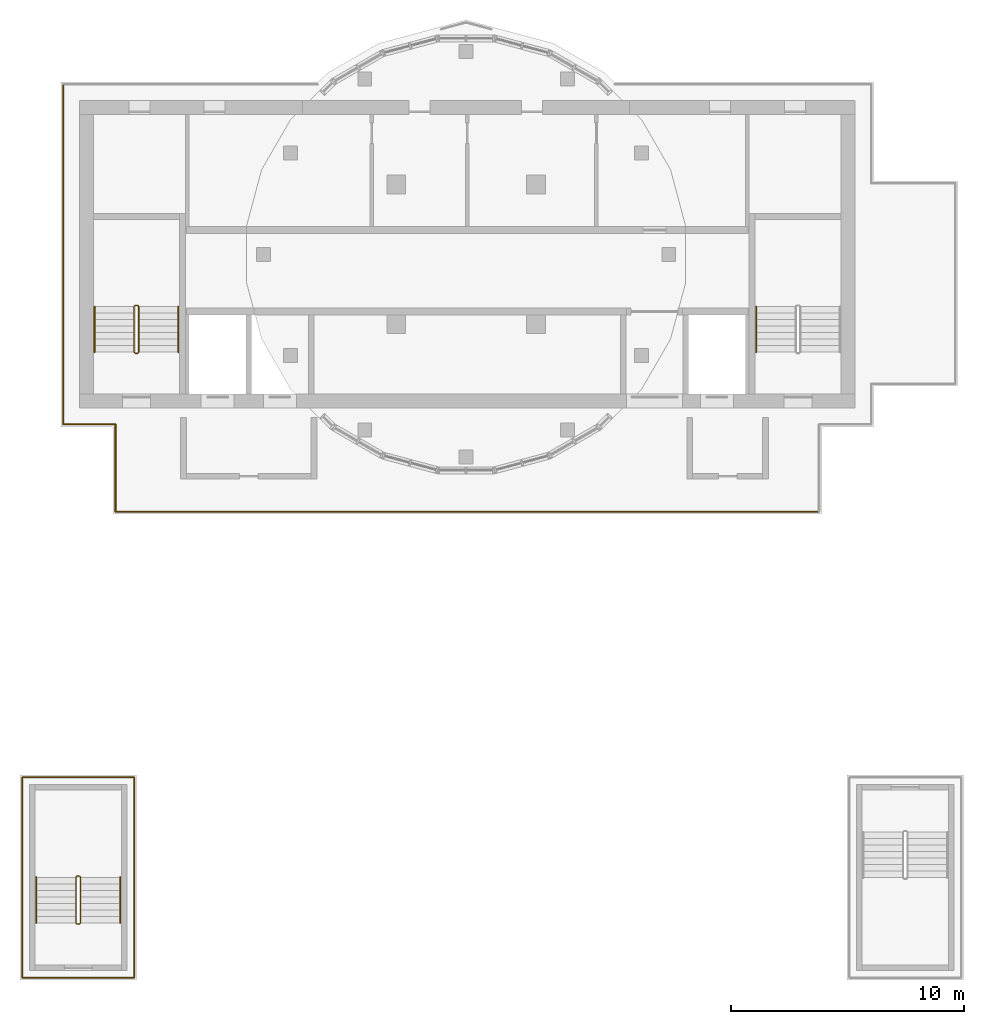
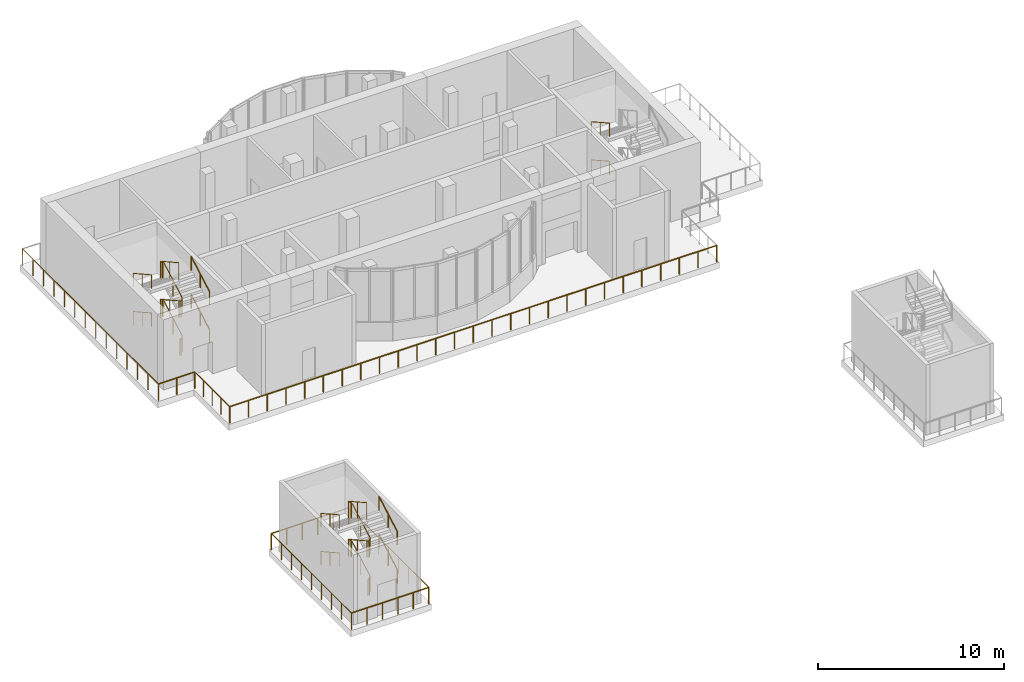
# One storey, part 8 of 10: 20 railings.
"""IFC4 building model written with IfcOpenShell, lengths in metres."""

from ifc_helpers import new_model, si_unit, direction, frame, origin, origin_2d, place, context, subcontext, project, spatial, circle, extrude, material, type_object, element, save


model = new_model("IFC4")

# Units and contexts
model_context = context("Model", 3, precision=1e-05, world=origin(), true_north=direction((0.0, 1.0)))
body_context = subcontext(model_context, "Body", "Model", "MODEL_VIEW")
ifc_project = project(units=[si_unit("LENGTHUNIT", "METRE"), si_unit("AREAUNIT", "SQUARE_METRE"), si_unit("VOLUMEUNIT", "CUBIC_METRE"), si_unit("PLANEANGLEUNIT", "RADIAN"), si_unit("MASSUNIT", "GRAM", prefix="KILO")], contexts=[model_context])

# Site, building, storey
site_placement = place(None, origin())
site = spatial("IfcSite", under=ifc_project, at=site_placement, CompositionType="ELEMENT")
building_placement = place(site_placement, origin())
building = spatial("IfcBuilding", under=site, at=building_placement, Name="Kilnfold Tower and Market Hall", CompositionType="ELEMENT")
storey_placement = place(building_placement, frame((0.0, 0.0, 323.800048828125)))
storey = spatial("IfcBuildingStorey", under=building, at=storey_placement, Name="L81 Crown Plant", CompositionType="ELEMENT", Elevation=323.800048828125)

# Railings
ifc_material_1 = material(Name="Stainless steel 316", Category="steel")
railing_type_1 = type_object("IfcRailingType", Name="CORE STAIR GUARD 1100", PredefinedType="GUARDRAIL", material=ifc_material_1)
railing_1_placement = place(storey_placement, frame((-13.199951171875, 10.75, 0.0)))
element("IfcRailing", 1, at=railing_1_placement, inside=storey, type_object=railing_type_1, Name="L81 Crown Plant ST1 stair guard 1", PredefinedType="GUARDRAIL", context=body_context, shape_type="SweptSolid", body=[
    extrude(circle(Radius=0.02392578125, at=origin_2d()), frame((0.0, 0.0, 1.076171875), z_axis=(1.0, 0.0, 0.0), x_axis=(0.0, 1.0, 0.0)), (0.0, 0.0, 1.0), 0.099853515625),
    extrude(circle(Radius=0.02392578125, at=origin_2d()), frame((0.099853515625, 0.0, 1.076171875), z_axis=(0.29177245553, 0.29177245553, 0.91089937336), x_axis=(-0.707106781187, 0.707106781187, 0.0)), (0.0, 0.0, 1.0), 0.171630859375),
    extrude(circle(Radius=0.02392578125, at=origin_2d()), frame((0.14990234375, 0.050048828125, 1.232421875), z_axis=(0.0, 0.873232148454, 0.487304437602), x_axis=(-1.0, 0.0, 0.0)), (0.0, 0.0, 1.0), 2.244384765625),
    extrude(circle(Radius=0.02392578125, at=origin_2d()), frame((0.14990234375, 2.010009765625, 2.326171875), z_axis=(-0.707106781187, 0.707106781187, 0.0), x_axis=(-0.707106781187, -0.707106781187, 0.0)), (0.0, 0.0, 1.0), 0.07080078125),
    extrude(circle(Radius=0.02392578125, at=origin_2d()), frame((0.099853515625, 2.06005859375, 2.326171875), z_axis=(-1.0, 0.0, 0.0), x_axis=(0.0, -1.0, 0.0)), (0.0, 0.0, 1.0), 0.099853515625),
    extrude(circle(Radius=0.02392578125, at=origin_2d()), frame((0.0, 2.06005859375, 2.326171875), z_axis=(-0.29177245553, -0.29177245553, 0.91089937336), x_axis=(0.707106781187, -0.707106781187, 0.0)), (0.0, 0.0, 1.0), 0.171630859375),
    extrude(circle(Radius=0.02392578125, at=origin_2d()), frame((-0.050048828125, 2.010009765625, 2.482421875), z_axis=(0.0, -0.873232148454, 0.487304437602), x_axis=(1.0, 0.0, 0.0)), (0.0, 0.0, 1.0), 2.244384765625),
    extrude(circle(Radius=0.02392578125, at=origin_2d()), frame((-0.050048828125, 0.050048828125, 3.576171875), z_axis=(0.707106781187, -0.707106781187, 0.0), x_axis=(0.707106781187, 0.707106781187, 0.0)), (0.0, 0.0, 1.0), 0.07080078125),
    extrude(circle(Radius=0.02392578125, at=origin_2d()), frame((0.0, 0.0, 3.576171875), z_axis=(1.0, 0.0, 0.0), x_axis=(0.0, 1.0, 0.0)), (0.0, 0.0, 1.0), 0.099853515625),
    extrude(circle(Radius=0.02392578125, at=origin_2d()), frame((0.099853515625, 0.0, 3.576171875), z_axis=(0.29177245553, 0.29177245553, 0.91089937336), x_axis=(-0.707106781187, 0.707106781187, 0.0)), (0.0, 0.0, 1.0), 0.171630859375),
    extrude(circle(Radius=0.02392578125, at=origin_2d()), frame((0.14990234375, 0.050048828125, 3.732421875), z_axis=(0.0, 0.873232148454, 0.487304437602), x_axis=(-1.0, 0.0, 0.0)), (0.0, 0.0, 1.0), 2.244384765625),
    extrude(circle(Radius=0.02392578125, at=origin_2d()), frame((0.14990234375, 2.010009765625, 4.826171875), z_axis=(-0.707106781187, 0.707106781187, 0.0), x_axis=(-0.707106781187, -0.707106781187, 0.0)), (0.0, 0.0, 1.0), 0.07080078125),
    extrude(circle(Radius=0.02392578125, at=origin_2d()), frame((0.099853515625, 2.06005859375, 4.826171875), z_axis=(-1.0, 0.0, 0.0), x_axis=(0.0, -1.0, 0.0)), (0.0, 0.0, 1.0), 0.099853515625),
    extrude(circle(Radius=0.02392578125, at=origin_2d()), frame((0.0, 2.06005859375, 4.826171875), z_axis=(-0.29177245553, -0.29177245553, 0.91089937336), x_axis=(0.707106781187, -0.707106781187, 0.0)), (0.0, 0.0, 1.0), 0.171630859375),
    extrude(circle(Radius=0.02392578125, at=origin_2d()), frame((-0.050048828125, 2.010009765625, 4.982421875), z_axis=(0.0, -0.873232148454, 0.487304437602), x_axis=(1.0, 0.0, 0.0)), (0.0, 0.0, 1.0), 2.244384765625),
    extrude(circle(Radius=0.02099609375, at=origin_2d()), origin(), (0.0, 0.0, 1.0), 1.052001953125),
    extrude(circle(Radius=0.02099609375, at=origin_2d()), frame((0.099853515625, 0.0, 0.0)), (0.0, 0.0, 1.0), 1.052001953125),
    extrude(circle(Radius=0.02099609375, at=origin_2d()), frame((0.14990234375, 0.050048828125, 0.15625)), (0.0, 0.0, 1.0), 1.052001953125),
    extrude(circle(Radius=0.02099609375, at=origin_2d()), frame((0.14990234375, 1.030029296875, 0.703125)), (0.0, 0.0, 1.0), 1.052001953125),
    extrude(circle(Radius=0.02099609375, at=origin_2d()), frame((0.14990234375, 2.010009765625, 1.25)), (0.0, 0.0, 1.0), 1.052001953125),
    extrude(circle(Radius=0.02099609375, at=origin_2d()), frame((0.099853515625, 2.06005859375, 1.25)), (0.0, 0.0, 1.0), 1.052001953125),
    extrude(circle(Radius=0.02099609375, at=origin_2d()), frame((0.0, 2.06005859375, 1.25)), (0.0, 0.0, 1.0), 1.052001953125),
    extrude(circle(Radius=0.02099609375, at=origin_2d()), frame((-0.050048828125, 2.010009765625, 1.40625)), (0.0, 0.0, 1.0), 1.052001953125),
    extrude(circle(Radius=0.02099609375, at=origin_2d()), frame((-0.050048828125, 1.030029296875, 1.953125)), (0.0, 0.0, 1.0), 1.052001953125),
    extrude(circle(Radius=0.02099609375, at=origin_2d()), frame((-0.050048828125, 0.050048828125, 2.5)), (0.0, 0.0, 1.0), 1.052001953125),
    extrude(circle(Radius=0.02099609375, at=origin_2d()), frame((0.0, 0.0, 2.5)), (0.0, 0.0, 1.0), 1.052001953125),
    extrude(circle(Radius=0.02099609375, at=origin_2d()), frame((0.099853515625, 0.0, 2.5)), (0.0, 0.0, 1.0), 1.052001953125),
    extrude(circle(Radius=0.02099609375, at=origin_2d()), frame((0.14990234375, 0.050048828125, 2.65625)), (0.0, 0.0, 1.0), 1.052001953125),
    extrude(circle(Radius=0.02099609375, at=origin_2d()), frame((0.14990234375, 1.030029296875, 3.203125)), (0.0, 0.0, 1.0), 1.052001953125),
    extrude(circle(Radius=0.02099609375, at=origin_2d()), frame((0.14990234375, 2.010009765625, 3.75)), (0.0, 0.0, 1.0), 1.052001953125),
    extrude(circle(Radius=0.02099609375, at=origin_2d()), frame((0.099853515625, 2.06005859375, 3.75)), (0.0, 0.0, 1.0), 1.052001953125),
    extrude(circle(Radius=0.02099609375, at=origin_2d()), frame((0.0, 2.06005859375, 3.75)), (0.0, 0.0, 1.0), 1.052001953125),
    extrude(circle(Radius=0.02099609375, at=origin_2d()), frame((-0.050048828125, 2.010009765625, 3.90625)), (0.0, 0.0, 1.0), 1.052001953125),
    extrude(circle(Radius=0.02099609375, at=origin_2d()), frame((-0.050048828125, 1.030029296875, 4.453125)), (0.0, 0.0, 1.0), 1.052001953125),
    extrude(circle(Radius=0.02099609375, at=origin_2d()), frame((-0.050048828125, 0.050048828125, 5.0)), (0.0, 0.0, 1.0), 1.052001953125),
])
railing_2_placement = place(storey_placement, frame((-15.699951171875, -13.75, 0.0)))
element("IfcRailing", 2, at=railing_2_placement, inside=storey, type_object=railing_type_1, Name="L81 Crown Plant ST3 stair guard 1", PredefinedType="GUARDRAIL", context=body_context, shape_type="SweptSolid", body=[
    extrude(circle(Radius=0.02392578125, at=origin_2d()), frame((0.0, 0.0, 1.076171875), z_axis=(1.0, 0.0, 0.0), x_axis=(0.0, 1.0, 0.0)), (0.0, 0.0, 1.0), 0.099853515625),
    extrude(circle(Radius=0.02392578125, at=origin_2d()), frame((0.099853515625, 0.0, 1.076171875), z_axis=(0.29177245553, 0.29177245553, 0.91089937336), x_axis=(-0.707106781187, 0.707106781187, 0.0)), (0.0, 0.0, 1.0), 0.171630859375),
    extrude(circle(Radius=0.02392578125, at=origin_2d()), frame((0.14990234375, 0.050048828125, 1.232421875), z_axis=(0.0, 0.873232148454, 0.487304437602), x_axis=(-1.0, 0.0, 0.0)), (0.0, 0.0, 1.0), 2.244384765625),
    extrude(circle(Radius=0.02392578125, at=origin_2d()), frame((0.14990234375, 2.010009765625, 2.326171875), z_axis=(-0.707106781187, 0.707106781187, 0.0), x_axis=(-0.707106781187, -0.707106781187, 0.0)), (0.0, 0.0, 1.0), 0.07080078125),
    extrude(circle(Radius=0.02392578125, at=origin_2d()), frame((0.099853515625, 2.06005859375, 2.326171875), z_axis=(-1.0, 0.0, 0.0), x_axis=(0.0, -1.0, 0.0)), (0.0, 0.0, 1.0), 0.099853515625),
    extrude(circle(Radius=0.02392578125, at=origin_2d()), frame((0.0, 2.06005859375, 2.326171875), z_axis=(-0.29177245553, -0.29177245553, 0.91089937336), x_axis=(0.707106781187, -0.707106781187, 0.0)), (0.0, 0.0, 1.0), 0.171630859375),
    extrude(circle(Radius=0.02392578125, at=origin_2d()), frame((-0.050048828125, 2.010009765625, 2.482421875), z_axis=(0.0, -0.873232148454, 0.487304437602), x_axis=(1.0, 0.0, 0.0)), (0.0, 0.0, 1.0), 2.244384765625),
    extrude(circle(Radius=0.02392578125, at=origin_2d()), frame((-0.050048828125, 0.050048828125, 3.576171875), z_axis=(0.707106781187, -0.707106781187, 0.0), x_axis=(0.707106781187, 0.707106781187, 0.0)), (0.0, 0.0, 1.0), 0.07080078125),
    extrude(circle(Radius=0.02392578125, at=origin_2d()), frame((0.0, 0.0, 3.576171875), z_axis=(1.0, 0.0, 0.0), x_axis=(0.0, 1.0, 0.0)), (0.0, 0.0, 1.0), 0.099853515625),
    extrude(circle(Radius=0.02392578125, at=origin_2d()), frame((0.099853515625, 0.0, 3.576171875), z_axis=(0.29177245553, 0.29177245553, 0.91089937336), x_axis=(-0.707106781187, 0.707106781187, 0.0)), (0.0, 0.0, 1.0), 0.171630859375),
    extrude(circle(Radius=0.02392578125, at=origin_2d()), frame((0.14990234375, 0.050048828125, 3.732421875), z_axis=(0.0, 0.873232148454, 0.487304437602), x_axis=(-1.0, 0.0, 0.0)), (0.0, 0.0, 1.0), 2.244384765625),
    extrude(circle(Radius=0.02392578125, at=origin_2d()), frame((0.14990234375, 2.010009765625, 4.826171875), z_axis=(-0.707106781187, 0.707106781187, 0.0), x_axis=(-0.707106781187, -0.707106781187, 0.0)), (0.0, 0.0, 1.0), 0.07080078125),
    extrude(circle(Radius=0.02392578125, at=origin_2d()), frame((0.099853515625, 2.06005859375, 4.826171875), z_axis=(-1.0, 0.0, 0.0), x_axis=(0.0, -1.0, 0.0)), (0.0, 0.0, 1.0), 0.099853515625),
    extrude(circle(Radius=0.02392578125, at=origin_2d()), frame((0.0, 2.06005859375, 4.826171875), z_axis=(-0.29177245553, -0.29177245553, 0.91089937336), x_axis=(0.707106781187, -0.707106781187, 0.0)), (0.0, 0.0, 1.0), 0.171630859375),
    extrude(circle(Radius=0.02392578125, at=origin_2d()), frame((-0.050048828125, 2.010009765625, 4.982421875), z_axis=(0.0, -0.873232148454, 0.487304437602), x_axis=(1.0, 0.0, 0.0)), (0.0, 0.0, 1.0), 2.244384765625),
    extrude(circle(Radius=0.02099609375, at=origin_2d()), origin(), (0.0, 0.0, 1.0), 1.052001953125),
    extrude(circle(Radius=0.02099609375, at=origin_2d()), frame((0.099853515625, 0.0, 0.0)), (0.0, 0.0, 1.0), 1.052001953125),
    extrude(circle(Radius=0.02099609375, at=origin_2d()), frame((0.14990234375, 0.050048828125, 0.15625)), (0.0, 0.0, 1.0), 1.052001953125),
    extrude(circle(Radius=0.02099609375, at=origin_2d()), frame((0.14990234375, 1.030029296875, 0.703125)), (0.0, 0.0, 1.0), 1.052001953125),
    extrude(circle(Radius=0.02099609375, at=origin_2d()), frame((0.14990234375, 2.010009765625, 1.25)), (0.0, 0.0, 1.0), 1.052001953125),
    extrude(circle(Radius=0.02099609375, at=origin_2d()), frame((0.099853515625, 2.06005859375, 1.25)), (0.0, 0.0, 1.0), 1.052001953125),
    extrude(circle(Radius=0.02099609375, at=origin_2d()), frame((0.0, 2.06005859375, 1.25)), (0.0, 0.0, 1.0), 1.052001953125),
    extrude(circle(Radius=0.02099609375, at=origin_2d()), frame((-0.050048828125, 2.010009765625, 1.40625)), (0.0, 0.0, 1.0), 1.052001953125),
    extrude(circle(Radius=0.02099609375, at=origin_2d()), frame((-0.050048828125, 1.030029296875, 1.953125)), (0.0, 0.0, 1.0), 1.052001953125),
    extrude(circle(Radius=0.02099609375, at=origin_2d()), frame((-0.050048828125, 0.050048828125, 2.5)), (0.0, 0.0, 1.0), 1.052001953125),
    extrude(circle(Radius=0.02099609375, at=origin_2d()), frame((0.0, 0.0, 2.5)), (0.0, 0.0, 1.0), 1.052001953125),
    extrude(circle(Radius=0.02099609375, at=origin_2d()), frame((0.099853515625, 0.0, 2.5)), (0.0, 0.0, 1.0), 1.052001953125),
    extrude(circle(Radius=0.02099609375, at=origin_2d()), frame((0.14990234375, 0.050048828125, 2.65625)), (0.0, 0.0, 1.0), 1.052001953125),
    extrude(circle(Radius=0.02099609375, at=origin_2d()), frame((0.14990234375, 1.030029296875, 3.203125)), (0.0, 0.0, 1.0), 1.052001953125),
    extrude(circle(Radius=0.02099609375, at=origin_2d()), frame((0.14990234375, 2.010009765625, 3.75)), (0.0, 0.0, 1.0), 1.052001953125),
    extrude(circle(Radius=0.02099609375, at=origin_2d()), frame((0.099853515625, 2.06005859375, 3.75)), (0.0, 0.0, 1.0), 1.052001953125),
    extrude(circle(Radius=0.02099609375, at=origin_2d()), frame((0.0, 2.06005859375, 3.75)), (0.0, 0.0, 1.0), 1.052001953125),
    extrude(circle(Radius=0.02099609375, at=origin_2d()), frame((-0.050048828125, 2.010009765625, 3.90625)), (0.0, 0.0, 1.0), 1.052001953125),
    extrude(circle(Radius=0.02099609375, at=origin_2d()), frame((-0.050048828125, 1.030029296875, 4.453125)), (0.0, 0.0, 1.0), 1.052001953125),
    extrude(circle(Radius=0.02099609375, at=origin_2d()), frame((-0.050048828125, 0.050048828125, 5.0)), (0.0, 0.0, 1.0), 1.052001953125),
])
ifc_material_2 = material(Name="Stainless steel 316", Category="steel")
railing_type_2 = type_object("IfcRailingType", Name="CORE STAIR HANDRAIL 900", PredefinedType="HANDRAIL", material=ifc_material_2)
railing_3_placement = place(storey_placement, frame((-11.35009765625, 10.800048828125, 0.15625)))
element("IfcRailing", 3, at=railing_3_placement, inside=storey, type_object=railing_type_2, Name="L81 Crown Plant ST1 stair handrail 1", PredefinedType="HANDRAIL", context=body_context, shape_type="SweptSolid", body=[
    extrude(circle(Radius=0.02392578125, at=origin_2d()), frame((0.0, 0.0, 0.8759765625), z_axis=(0.0, 0.873232148454, 0.487304437602), x_axis=(-1.0, 0.0, 0.0)), (0.0, 0.0, 1.0), 2.244384765625),
    extrude(circle(Radius=0.02099609375, at=origin_2d()), origin(), (0.0, 0.0, 1.0), 0.851806640625),
    extrude(circle(Radius=0.02099609375, at=origin_2d()), frame((0.0, 0.97998046875, 0.546875)), (0.0, 0.0, 1.0), 0.851806640625),
    extrude(circle(Radius=0.02099609375, at=origin_2d()), frame((0.0, 1.9599609375, 1.09375)), (0.0, 0.0, 1.0), 0.851806640625),
])
railing_4_placement = place(storey_placement, frame((-14.949951171875, 12.760009765625, 1.40625)))
element("IfcRailing", 4, at=railing_4_placement, inside=storey, type_object=railing_type_2, Name="L81 Crown Plant ST1 stair handrail 2", PredefinedType="HANDRAIL", context=body_context, shape_type="SweptSolid", body=[
    extrude(circle(Radius=0.02392578125, at=origin_2d()), frame((0.0, 0.0, 0.8759765625), z_axis=(0.0, -0.873232148454, 0.487304437602), x_axis=(1.0, 0.0, 0.0)), (0.0, 0.0, 1.0), 2.244384765625),
    extrude(circle(Radius=0.02099609375, at=origin_2d()), origin(), (0.0, 0.0, 1.0), 0.851806640625),
    extrude(circle(Radius=0.02099609375, at=origin_2d()), frame((0.0, -0.97998046875, 0.546875)), (0.0, 0.0, 1.0), 0.851806640625),
    extrude(circle(Radius=0.02099609375, at=origin_2d()), frame((0.0, -1.9599609375, 1.09375)), (0.0, 0.0, 1.0), 0.851806640625),
])
railing_5_placement = place(storey_placement, frame((-11.35009765625, 10.800048828125, 2.65625)))
element("IfcRailing", 5, at=railing_5_placement, inside=storey, type_object=railing_type_2, Name="L81 Crown Plant ST1 stair handrail 3", PredefinedType="HANDRAIL", context=body_context, shape_type="SweptSolid", body=[
    extrude(circle(Radius=0.02392578125, at=origin_2d()), frame((0.0, 0.0, 0.8759765625), z_axis=(0.0, 0.873232148454, 0.487304437602), x_axis=(-1.0, 0.0, 0.0)), (0.0, 0.0, 1.0), 2.244384765625),
    extrude(circle(Radius=0.02099609375, at=origin_2d()), origin(), (0.0, 0.0, 1.0), 0.851806640625),
    extrude(circle(Radius=0.02099609375, at=origin_2d()), frame((0.0, 0.97998046875, 0.546875)), (0.0, 0.0, 1.0), 0.851806640625),
    extrude(circle(Radius=0.02099609375, at=origin_2d()), frame((0.0, 1.9599609375, 1.09375)), (0.0, 0.0, 1.0), 0.851806640625),
])
for number, where, name in (
    (6, (-14.949951171875, 12.760009765625, 3.90625), "L81 Crown Plant ST1 stair handrail 4"),
    (7, (13.449951171875, 12.760009765625, 1.40625), "L81 Crown Plant ST2 stair handrail 2"),
    (8, (13.449951171875, 12.760009765625, 3.90625), "L81 Crown Plant ST2 stair handrail 4"),
):
    element("IfcRailing", number, at=place(storey_placement, frame(where)), inside=storey, type_object=railing_type_2, Name=name, PredefinedType="HANDRAIL", context=body_context, shape_type="SweptSolid", body=[
        extrude(circle(Radius=0.02392578125, at=origin_2d()), frame((0.0, 0.0, 0.8759765625), z_axis=(0.0, -0.873232148454, 0.487304437602), x_axis=(1.0, 0.0, 0.0)), (0.0, 0.0, 1.0), 2.244384765625),
        extrude(circle(Radius=0.02099609375, at=origin_2d()), origin(), (0.0, 0.0, 1.0), 0.851806640625),
        extrude(circle(Radius=0.02099609375, at=origin_2d()), frame((0.0, -0.97998046875, 0.546875)), (0.0, 0.0, 1.0), 0.851806640625),
        extrude(circle(Radius=0.02099609375, at=origin_2d()), frame((0.0, -1.9599609375, 1.09375)), (0.0, 0.0, 1.0), 0.851806640625),
    ])
railing_6_placement = place(storey_placement, frame((-13.85009765625, -13.699951171875, 0.15625)))
element("IfcRailing", 9, at=railing_6_placement, inside=storey, type_object=railing_type_2, Name="L81 Crown Plant ST3 stair handrail 1", PredefinedType="HANDRAIL", context=body_context, shape_type="SweptSolid", body=[
    extrude(circle(Radius=0.02392578125, at=origin_2d()), frame((0.0, 0.0, 0.8759765625), z_axis=(0.0, 0.873232148454, 0.487304437602), x_axis=(-1.0, 0.0, 0.0)), (0.0, 0.0, 1.0), 2.244384765625),
    extrude(circle(Radius=0.02099609375, at=origin_2d()), origin(), (0.0, 0.0, 1.0), 0.851806640625),
    extrude(circle(Radius=0.02099609375, at=origin_2d()), frame((0.0, 0.97998046875, 0.546875)), (0.0, 0.0, 1.0), 0.851806640625),
    extrude(circle(Radius=0.02099609375, at=origin_2d()), frame((0.0, 1.9599609375, 1.09375)), (0.0, 0.0, 1.0), 0.851806640625),
])
railing_7_placement = place(storey_placement, frame((-17.449951171875, -11.739990234375, 1.40625)))
element("IfcRailing", 10, at=railing_7_placement, inside=storey, type_object=railing_type_2, Name="L81 Crown Plant ST3 stair handrail 2", PredefinedType="HANDRAIL", context=body_context, shape_type="SweptSolid", body=[
    extrude(circle(Radius=0.02392578125, at=origin_2d()), frame((0.0, 0.0, 0.8759765625), z_axis=(0.0, -0.873232148454, 0.487304437602), x_axis=(1.0, 0.0, 0.0)), (0.0, 0.0, 1.0), 2.244384765625),
    extrude(circle(Radius=0.02099609375, at=origin_2d()), origin(), (0.0, 0.0, 1.0), 0.851806640625),
    extrude(circle(Radius=0.02099609375, at=origin_2d()), frame((0.0, -0.97998046875, 0.546875)), (0.0, 0.0, 1.0), 0.851806640625),
    extrude(circle(Radius=0.02099609375, at=origin_2d()), frame((0.0, -1.9599609375, 1.09375)), (0.0, 0.0, 1.0), 0.851806640625),
])
railing_8_placement = place(storey_placement, frame((-13.85009765625, -13.699951171875, 2.65625)))
element("IfcRailing", 11, at=railing_8_placement, inside=storey, type_object=railing_type_2, Name="L81 Crown Plant ST3 stair handrail 3", PredefinedType="HANDRAIL", context=body_context, shape_type="SweptSolid", body=[
    extrude(circle(Radius=0.02392578125, at=origin_2d()), frame((0.0, 0.0, 0.8759765625), z_axis=(0.0, 0.873232148454, 0.487304437602), x_axis=(-1.0, 0.0, 0.0)), (0.0, 0.0, 1.0), 2.244384765625),
    extrude(circle(Radius=0.02099609375, at=origin_2d()), origin(), (0.0, 0.0, 1.0), 0.851806640625),
    extrude(circle(Radius=0.02099609375, at=origin_2d()), frame((0.0, 0.97998046875, 0.546875)), (0.0, 0.0, 1.0), 0.851806640625),
    extrude(circle(Radius=0.02099609375, at=origin_2d()), frame((0.0, 1.9599609375, 1.09375)), (0.0, 0.0, 1.0), 0.851806640625),
])
railing_9_placement = place(storey_placement, frame((-17.449951171875, -11.739990234375, 3.90625)))
element("IfcRailing", 12, at=railing_9_placement, inside=storey, type_object=railing_type_2, Name="L81 Crown Plant ST3 stair handrail 4", PredefinedType="HANDRAIL", context=body_context, shape_type="SweptSolid", body=[
    extrude(circle(Radius=0.02392578125, at=origin_2d()), frame((0.0, 0.0, 0.8759765625), z_axis=(0.0, -0.873232148454, 0.487304437602), x_axis=(1.0, 0.0, 0.0)), (0.0, 0.0, 1.0), 2.244384765625),
    extrude(circle(Radius=0.02099609375, at=origin_2d()), origin(), (0.0, 0.0, 1.0), 0.851806640625),
    extrude(circle(Radius=0.02099609375, at=origin_2d()), frame((0.0, -0.97998046875, 0.546875)), (0.0, 0.0, 1.0), 0.851806640625),
    extrude(circle(Radius=0.02099609375, at=origin_2d()), frame((0.0, -1.9599609375, 1.09375)), (0.0, 0.0, 1.0), 0.851806640625),
])
ifc_material_3 = material(Name="Stainless steel 316", Category="steel")
railing_type_3 = type_object("IfcRailingType", Name="CROWN DECK GUARD 1100", PredefinedType="GUARDRAIL", material=ifc_material_3)
railing_10_placement = place(storey_placement, frame((-13.25, -16.050048828125, 0.0)))
element("IfcRailing", 13, at=railing_10_placement, inside=storey, type_object=railing_type_3, Name="Crown deck guard", PredefinedType="GUARDRAIL", context=body_context, shape_type="SweptSolid", body=[
    extrude(circle(Radius=0.02392578125, at=origin_2d()), frame((0.0, 0.0, 1.076171875), z_axis=(-1.0, 0.0, 0.0), x_axis=(0.0, -1.0, 0.0)), (0.0, 0.0, 1.0), 4.800048828125),
    extrude(circle(Radius=0.02099609375, at=origin_2d()), origin(), (0.0, 0.0, 1.0), 1.052001953125),
    extrude(circle(Radius=0.02099609375, at=origin_2d()), frame((-0.9599609375, 0.0, 0.0)), (0.0, 0.0, 1.0), 1.052001953125),
    extrude(circle(Radius=0.02099609375, at=origin_2d()), frame((-1.919921875, 0.0, 0.0)), (0.0, 0.0, 1.0), 1.052001953125),
    extrude(circle(Radius=0.02099609375, at=origin_2d()), frame((-2.880126953125, 0.0, 0.0)), (0.0, 0.0, 1.0), 1.052001953125),
    extrude(circle(Radius=0.02099609375, at=origin_2d()), frame((-3.840087890625, 0.0, 0.0)), (0.0, 0.0, 1.0), 1.052001953125),
    extrude(circle(Radius=0.02099609375, at=origin_2d()), frame((-4.800048828125, 0.0, 0.0)), (0.0, 0.0, 1.0), 1.052001953125),
])
railing_11_placement = place(storey_placement, frame((-18.050048828125, -16.050048828125, 0.0)))
element("IfcRailing", 14, at=railing_11_placement, inside=storey, type_object=railing_type_3, Name="Crown deck guard", PredefinedType="GUARDRAIL", context=body_context, shape_type="SweptSolid", body=[
    extrude(circle(Radius=0.02392578125, at=origin_2d()), frame((0.0, 0.0, 1.076171875), z_axis=(0.0, 1.0, 0.0), x_axis=(-1.0, 0.0, 0.0)), (0.0, 0.0, 1.0), 8.60009765625),
    extrude(circle(Radius=0.02099609375, at=origin_2d()), origin(), (0.0, 0.0, 1.0), 1.052001953125),
    extrude(circle(Radius=0.02099609375, at=origin_2d()), frame((0.0, 1.074951171875, 0.0)), (0.0, 0.0, 1.0), 1.052001953125),
    extrude(circle(Radius=0.02099609375, at=origin_2d()), frame((0.0, 2.14990234375, 0.0)), (0.0, 0.0, 1.0), 1.052001953125),
    extrude(circle(Radius=0.02099609375, at=origin_2d()), frame((0.0, 3.22509765625, 0.0)), (0.0, 0.0, 1.0), 1.052001953125),
    extrude(circle(Radius=0.02099609375, at=origin_2d()), frame((0.0, 4.300048828125, 0.0)), (0.0, 0.0, 1.0), 1.052001953125),
    extrude(circle(Radius=0.02099609375, at=origin_2d()), frame((0.0, 5.375, 0.0)), (0.0, 0.0, 1.0), 1.052001953125),
    extrude(circle(Radius=0.02099609375, at=origin_2d()), frame((0.0, 6.4501953125, 0.0)), (0.0, 0.0, 1.0), 1.052001953125),
    extrude(circle(Radius=0.02099609375, at=origin_2d()), frame((0.0, 7.525146484375, 0.0)), (0.0, 0.0, 1.0), 1.052001953125),
    extrude(circle(Radius=0.02099609375, at=origin_2d()), frame((0.0, 8.60009765625, 0.0)), (0.0, 0.0, 1.0), 1.052001953125),
])
railing_12_placement = place(storey_placement, frame((-18.050048828125, -7.449951171875, 0.0)))
element("IfcRailing", 15, at=railing_12_placement, inside=storey, type_object=railing_type_3, Name="Crown deck guard", PredefinedType="GUARDRAIL", context=body_context, shape_type="SweptSolid", body=[
    extrude(circle(Radius=0.02392578125, at=origin_2d()), frame((0.0, 0.0, 1.076171875), z_axis=(1.0, 0.0, 0.0), x_axis=(0.0, 1.0, 0.0)), (0.0, 0.0, 1.0), 4.800048828125),
    extrude(circle(Radius=0.02099609375, at=origin_2d()), origin(), (0.0, 0.0, 1.0), 1.052001953125),
    extrude(circle(Radius=0.02099609375, at=origin_2d()), frame((0.9599609375, 0.0, 0.0)), (0.0, 0.0, 1.0), 1.052001953125),
    extrude(circle(Radius=0.02099609375, at=origin_2d()), frame((1.919921875, 0.0, 0.0)), (0.0, 0.0, 1.0), 1.052001953125),
    extrude(circle(Radius=0.02099609375, at=origin_2d()), frame((2.880126953125, 0.0, 0.0)), (0.0, 0.0, 1.0), 1.052001953125),
    extrude(circle(Radius=0.02099609375, at=origin_2d()), frame((3.840087890625, 0.0, 0.0)), (0.0, 0.0, 1.0), 1.052001953125),
    extrude(circle(Radius=0.02099609375, at=origin_2d()), frame((4.800048828125, 0.0, 0.0)), (0.0, 0.0, 1.0), 1.052001953125),
])
railing_13_placement = place(storey_placement, frame((-13.25, -7.449951171875, 0.0)))
element("IfcRailing", 16, at=railing_13_placement, inside=storey, type_object=railing_type_3, Name="Crown deck guard", PredefinedType="GUARDRAIL", context=body_context, shape_type="SweptSolid", body=[
    extrude(circle(Radius=0.02392578125, at=origin_2d()), frame((0.0, 0.0, 1.076171875), z_axis=(0.0, -1.0, 0.0), x_axis=(1.0, 0.0, 0.0)), (0.0, 0.0, 1.0), 8.60009765625),
    extrude(circle(Radius=0.02099609375, at=origin_2d()), origin(), (0.0, 0.0, 1.0), 1.052001953125),
    extrude(circle(Radius=0.02099609375, at=origin_2d()), frame((0.0, -1.074951171875, 0.0)), (0.0, 0.0, 1.0), 1.052001953125),
    extrude(circle(Radius=0.02099609375, at=origin_2d()), frame((0.0, -2.14990234375, 0.0)), (0.0, 0.0, 1.0), 1.052001953125),
    extrude(circle(Radius=0.02099609375, at=origin_2d()), frame((0.0, -3.22509765625, 0.0)), (0.0, 0.0, 1.0), 1.052001953125),
    extrude(circle(Radius=0.02099609375, at=origin_2d()), frame((0.0, -4.300048828125, 0.0)), (0.0, 0.0, 1.0), 1.052001953125),
    extrude(circle(Radius=0.02099609375, at=origin_2d()), frame((0.0, -5.375, 0.0)), (0.0, 0.0, 1.0), 1.052001953125),
    extrude(circle(Radius=0.02099609375, at=origin_2d()), frame((0.0, -6.4501953125, 0.0)), (0.0, 0.0, 1.0), 1.052001953125),
    extrude(circle(Radius=0.02099609375, at=origin_2d()), frame((0.0, -7.525146484375, 0.0)), (0.0, 0.0, 1.0), 1.052001953125),
    extrude(circle(Radius=0.02099609375, at=origin_2d()), frame((0.0, -8.60009765625, 0.0)), (0.0, 0.0, 1.0), 1.052001953125),
])
railing_14_placement = place(storey_placement, frame((-14.050048828125, 3.949951171875, 0.0)))
element("IfcRailing", 17, at=railing_14_placement, inside=storey, type_object=railing_type_3, Name="Crown deck guard", PredefinedType="GUARDRAIL", context=body_context, shape_type="SweptSolid", body=[
    extrude(circle(Radius=0.02392578125, at=origin_2d()), frame((0.0, 0.0, 1.076171875), z_axis=(0.0, 1.0, 0.0), x_axis=(-1.0, 0.0, 0.0)), (0.0, 0.0, 1.0), 3.75),
    extrude(circle(Radius=0.02099609375, at=origin_2d()), origin(), (0.0, 0.0, 1.0), 1.052001953125),
    extrude(circle(Radius=0.02099609375, at=origin_2d()), frame((0.0, 0.9375, 0.0)), (0.0, 0.0, 1.0), 1.052001953125),
    extrude(circle(Radius=0.02099609375, at=origin_2d()), frame((0.0, 1.875, 0.0)), (0.0, 0.0, 1.0), 1.052001953125),
    extrude(circle(Radius=0.02099609375, at=origin_2d()), frame((0.0, 2.8125, 0.0)), (0.0, 0.0, 1.0), 1.052001953125),
    extrude(circle(Radius=0.02099609375, at=origin_2d()), frame((0.0, 3.75, 0.0)), (0.0, 0.0, 1.0), 1.052001953125),
])
railing_15_placement = place(storey_placement, frame((-14.050048828125, 7.699951171875, 0.0)))
element("IfcRailing", 18, at=railing_15_placement, inside=storey, type_object=railing_type_3, Name="Crown deck guard", PredefinedType="GUARDRAIL", context=body_context, shape_type="SweptSolid", body=[
    extrude(circle(Radius=0.02392578125, at=origin_2d()), frame((0.0, 0.0, 1.076171875), z_axis=(-1.0, 0.0, 0.0), x_axis=(0.0, -1.0, 0.0)), (0.0, 0.0, 1.0), 2.25),
    extrude(circle(Radius=0.02099609375, at=origin_2d()), origin(), (0.0, 0.0, 1.0), 1.052001953125),
    extrude(circle(Radius=0.02099609375, at=origin_2d()), frame((-1.125, 0.0, 0.0)), (0.0, 0.0, 1.0), 1.052001953125),
    extrude(circle(Radius=0.02099609375, at=origin_2d()), frame((-2.25, 0.0, 0.0)), (0.0, 0.0, 1.0), 1.052001953125),
])
railing_16_placement = place(storey_placement, frame((-16.300048828125, 7.699951171875, 0.0)))
element("IfcRailing", 19, at=railing_16_placement, inside=storey, type_object=railing_type_3, Name="Crown deck guard", PredefinedType="GUARDRAIL", context=body_context, shape_type="SweptSolid", body=[
    extrude(circle(Radius=0.02392578125, at=origin_2d()), frame((0.0, 0.0, 1.076171875), z_axis=(0.0, 1.0, 0.0), x_axis=(-1.0, 0.0, 0.0)), (0.0, 0.0, 1.0), 14.60009765625),
    extrude(circle(Radius=0.02099609375, at=origin_2d()), origin(), (0.0, 0.0, 1.0), 1.052001953125),
    extrude(circle(Radius=0.02099609375, at=origin_2d()), frame((0.0, 1.123046875, 0.0)), (0.0, 0.0, 1.0), 1.052001953125),
    extrude(circle(Radius=0.02099609375, at=origin_2d()), frame((0.0, 2.24609375, 0.0)), (0.0, 0.0, 1.0), 1.052001953125),
    extrude(circle(Radius=0.02099609375, at=origin_2d()), frame((0.0, 3.369140625, 0.0)), (0.0, 0.0, 1.0), 1.052001953125),
    extrude(circle(Radius=0.02099609375, at=origin_2d()), frame((0.0, 4.492431640625, 0.0)), (0.0, 0.0, 1.0), 1.052001953125),
    extrude(circle(Radius=0.02099609375, at=origin_2d()), frame((0.0, 5.615478515625, 0.0)), (0.0, 0.0, 1.0), 1.052001953125),
    extrude(circle(Radius=0.02099609375, at=origin_2d()), frame((0.0, 6.738525390625, 0.0)), (0.0, 0.0, 1.0), 1.052001953125),
    extrude(circle(Radius=0.02099609375, at=origin_2d()), frame((0.0, 7.861572265625, 0.0)), (0.0, 0.0, 1.0), 1.052001953125),
    extrude(circle(Radius=0.02099609375, at=origin_2d()), frame((0.0, 8.984619140625, 0.0)), (0.0, 0.0, 1.0), 1.052001953125),
    extrude(circle(Radius=0.02099609375, at=origin_2d()), frame((0.0, 10.107666015625, 0.0)), (0.0, 0.0, 1.0), 1.052001953125),
    extrude(circle(Radius=0.02099609375, at=origin_2d()), frame((0.0, 11.23095703125, 0.0)), (0.0, 0.0, 1.0), 1.052001953125),
    extrude(circle(Radius=0.02099609375, at=origin_2d()), frame((0.0, 12.35400390625, 0.0)), (0.0, 0.0, 1.0), 1.052001953125),
    extrude(circle(Radius=0.02099609375, at=origin_2d()), frame((0.0, 13.47705078125, 0.0)), (0.0, 0.0, 1.0), 1.052001953125),
    extrude(circle(Radius=0.02099609375, at=origin_2d()), frame((0.0, 14.60009765625, 0.0)), (0.0, 0.0, 1.0), 1.052001953125),
])
railing_17_placement = place(storey_placement, frame((16.14990234375, 3.949951171875, 0.0)))
element("IfcRailing", 20, at=railing_17_placement, inside=storey, type_object=railing_type_3, Name="Crown deck guard", PredefinedType="GUARDRAIL", context=body_context, shape_type="SweptSolid", body=[
    extrude(circle(Radius=0.02392578125, at=origin_2d()), frame((0.0, 0.0, 1.076171875), z_axis=(-1.0, 0.0, 0.0), x_axis=(0.0, -1.0, 0.0)), (0.0, 0.0, 1.0), 30.199951171875),
    extrude(circle(Radius=0.02099609375, at=origin_2d()), origin(), (0.0, 0.0, 1.0), 1.052001953125),
    extrude(circle(Radius=0.02099609375, at=origin_2d()), frame((-1.16162109375, 0.0, 0.0)), (0.0, 0.0, 1.0), 1.052001953125),
    extrude(circle(Radius=0.02099609375, at=origin_2d()), frame((-2.322998046875, 0.0, 0.0)), (0.0, 0.0, 1.0), 1.052001953125),
    extrude(circle(Radius=0.02099609375, at=origin_2d()), frame((-3.484619140625, 0.0, 0.0)), (0.0, 0.0, 1.0), 1.052001953125),
    extrude(circle(Radius=0.02099609375, at=origin_2d()), frame((-4.646240234375, 0.0, 0.0)), (0.0, 0.0, 1.0), 1.052001953125),
    extrude(circle(Radius=0.02099609375, at=origin_2d()), frame((-5.8076171875, 0.0, 0.0)), (0.0, 0.0, 1.0), 1.052001953125),
    extrude(circle(Radius=0.02099609375, at=origin_2d()), frame((-6.96923828125, 0.0, 0.0)), (0.0, 0.0, 1.0), 1.052001953125),
    extrude(circle(Radius=0.02099609375, at=origin_2d()), frame((-8.130859375, 0.0, 0.0)), (0.0, 0.0, 1.0), 1.052001953125),
    extrude(circle(Radius=0.02099609375, at=origin_2d()), frame((-9.292236328125, 0.0, 0.0)), (0.0, 0.0, 1.0), 1.052001953125),
    extrude(circle(Radius=0.02099609375, at=origin_2d()), frame((-10.453857421875, 0.0, 0.0)), (0.0, 0.0, 1.0), 1.052001953125),
    extrude(circle(Radius=0.02099609375, at=origin_2d()), frame((-11.615478515625, 0.0, 0.0)), (0.0, 0.0, 1.0), 1.052001953125),
    extrude(circle(Radius=0.02099609375, at=origin_2d()), frame((-12.77685546875, 0.0, 0.0)), (0.0, 0.0, 1.0), 1.052001953125),
    extrude(circle(Radius=0.02099609375, at=origin_2d()), frame((-13.9384765625, 0.0, 0.0)), (0.0, 0.0, 1.0), 1.052001953125),
    extrude(circle(Radius=0.02099609375, at=origin_2d()), frame((-15.10009765625, 0.0, 0.0)), (0.0, 0.0, 1.0), 1.052001953125),
    extrude(circle(Radius=0.02099609375, at=origin_2d()), frame((-16.261474609375, 0.0, 0.0)), (0.0, 0.0, 1.0), 1.052001953125),
    extrude(circle(Radius=0.02099609375, at=origin_2d()), frame((-17.423095703125, 0.0, 0.0)), (0.0, 0.0, 1.0), 1.052001953125),
    extrude(circle(Radius=0.02099609375, at=origin_2d()), frame((-18.58447265625, 0.0, 0.0)), (0.0, 0.0, 1.0), 1.052001953125),
    extrude(circle(Radius=0.02099609375, at=origin_2d()), frame((-19.74609375, 0.0, 0.0)), (0.0, 0.0, 1.0), 1.052001953125),
    extrude(circle(Radius=0.02099609375, at=origin_2d()), frame((-20.90771484375, 0.0, 0.0)), (0.0, 0.0, 1.0), 1.052001953125),
    extrude(circle(Radius=0.02099609375, at=origin_2d()), frame((-22.069091796875, 0.0, 0.0)), (0.0, 0.0, 1.0), 1.052001953125),
    extrude(circle(Radius=0.02099609375, at=origin_2d()), frame((-23.230712890625, 0.0, 0.0)), (0.0, 0.0, 1.0), 1.052001953125),
    extrude(circle(Radius=0.02099609375, at=origin_2d()), frame((-24.392333984375, 0.0, 0.0)), (0.0, 0.0, 1.0), 1.052001953125),
    extrude(circle(Radius=0.02099609375, at=origin_2d()), frame((-25.5537109375, 0.0, 0.0)), (0.0, 0.0, 1.0), 1.052001953125),
    extrude(circle(Radius=0.02099609375, at=origin_2d()), frame((-26.71533203125, 0.0, 0.0)), (0.0, 0.0, 1.0), 1.052001953125),
    extrude(circle(Radius=0.02099609375, at=origin_2d()), frame((-27.876953125, 0.0, 0.0)), (0.0, 0.0, 1.0), 1.052001953125),
    extrude(circle(Radius=0.02099609375, at=origin_2d()), frame((-29.038330078125, 0.0, 0.0)), (0.0, 0.0, 1.0), 1.052001953125),
    extrude(circle(Radius=0.02099609375, at=origin_2d()), frame((-30.199951171875, 0.0, 0.0)), (0.0, 0.0, 1.0), 1.052001953125),
])

save(model, "model.ifc")
